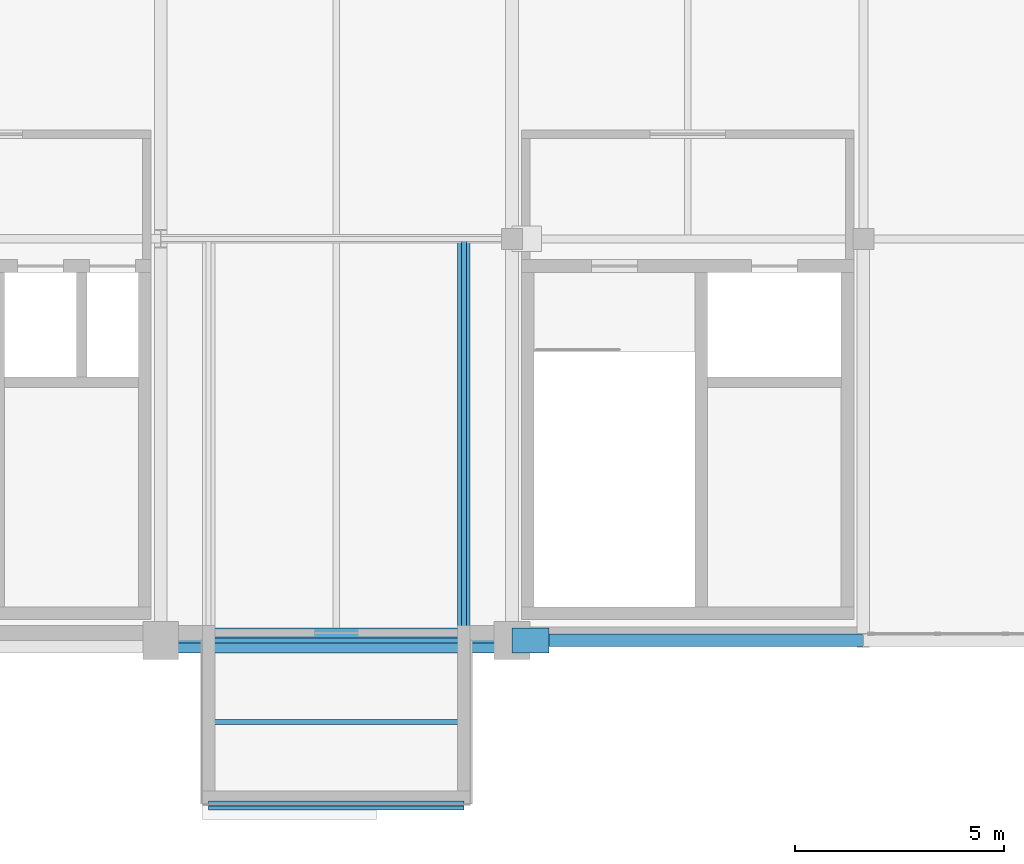
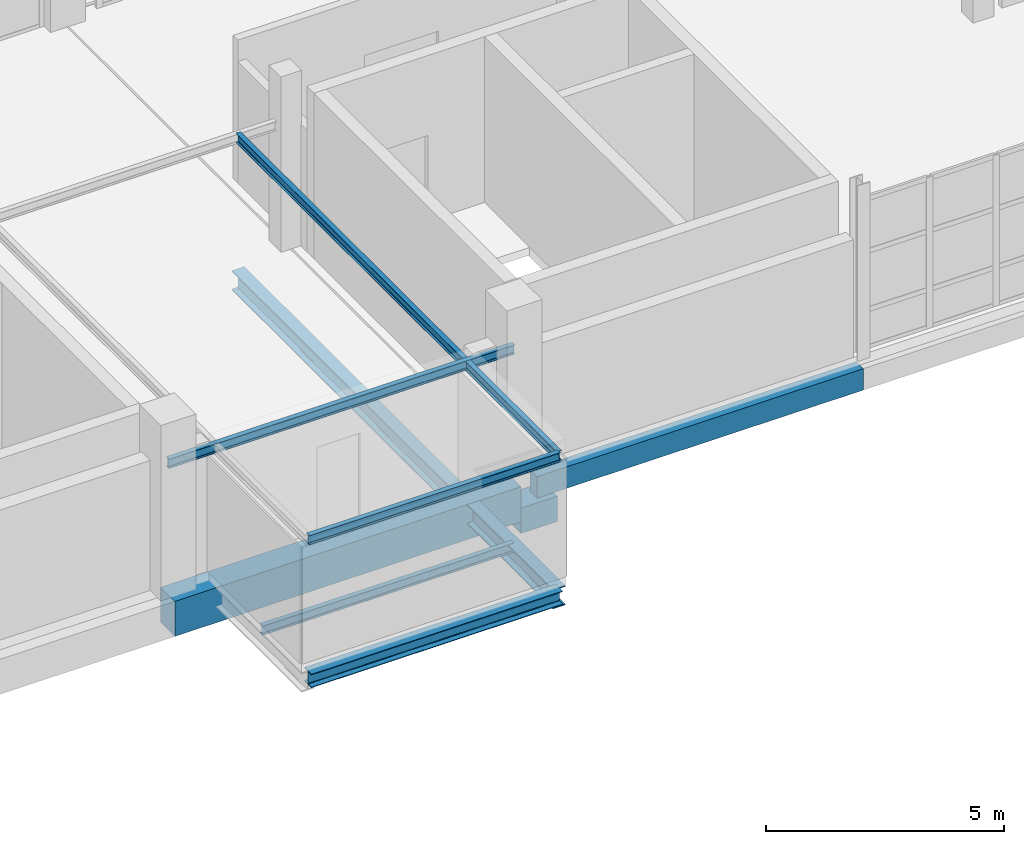
# One storey, part 43 of 103: 9 beams.
"""IFC4 building model written with IfcOpenShell, lengths in metres."""

from ifc_helpers import new_model, si_unit, direction, frame, origin, origin_2d, place, context, subcontext, project, spatial, rectangle, i_section, extrude, material, material_profile, profile_set, type_object, element, save


model = new_model("IFC4")

# Units and contexts
model_context = context("Model", 3, precision=1e-05, world=origin(), true_north=direction((0.0, 1.0)))
body_context = subcontext(model_context, "Body", "Model", "MODEL_VIEW")
ifc_project = project(units=[si_unit("LENGTHUNIT", "METRE"), si_unit("AREAUNIT", "SQUARE_METRE"), si_unit("VOLUMEUNIT", "CUBIC_METRE"), si_unit("PLANEANGLEUNIT", "RADIAN"), si_unit("MASSUNIT", "GRAM", prefix="KILO")], contexts=[model_context])

# Site, building, storey
site_placement = place(None, origin())
site = spatial("IfcSite", under=ifc_project, at=site_placement, CompositionType="ELEMENT")
building_placement = place(site_placement, origin())
building = spatial("IfcBuilding", under=site, at=building_placement, Name="Veltarok Museum of Natural Sciences", CompositionType="ELEMENT")
storey_placement = place(building_placement, frame((0.0, 0.0, 21.89990234375)))
storey = spatial("IfcBuildingStorey", under=building, at=storey_placement, Name="L04", CompositionType="ELEMENT", Elevation=21.89990234375)

# Beams
ifc_material_1 = material(Name="Steel S355J2", Category="steel")
ifc_material_profile_1 = material_profile(ifc_material_1, i_section(OverallWidth=0.300048828125, OverallDepth=0.5, WebThickness=0.014404296875, FlangeThickness=0.028076171875, FilletRadius=0.027099609375, at=origin_2d()), Name="HEB 500")
ifc_profile_set_1 = profile_set([ifc_material_profile_1], Name="Steel S355J2")
beam_type_1 = type_object("IfcBeamType", Name="Cabinet Box Cantilever Girder HEB 500", PredefinedType="BEAM", material=ifc_profile_set_1)
beam_1_placement = place(storey_placement, frame((106.050048828125, -3.89990234375, -0.5), z_axis=(0.0, 1.0, 0.0), x_axis=(-1.0, 0.0, 0.0)))
element("IfcBeam", 1, at=beam_1_placement, inside=storey, type_object=beam_type_1, Name="Cabinet Cantilever Girder DB-23-2", PredefinedType="BEAM", context=body_context, shape_type="SweptSolid", body=[
    extrude(i_section(OverallWidth=0.300048828125, OverallDepth=0.5, WebThickness=0.014404296875, FlangeThickness=0.028076171875, FilletRadius=0.027099609375, at=origin_2d()), origin(), (0.0, 0.0, 1.0), 13.5),
])
ifc_material_profile_2 = material_profile(ifc_material_1, i_section(OverallWidth=0.1201171875, OverallDepth=0.239990234375, WebThickness=0.006103515625, FlangeThickness=0.009765625, FilletRadius=0.014892578125, at=origin_2d()), Name="IPE 240")
ifc_profile_set_2 = profile_set([ifc_material_profile_2], Name="Steel S355J2")
beam_type_2 = type_object("IfcBeamType", Name="Cabinet Box Secondary Joist IPE 240", PredefinedType="JOIST", material=ifc_profile_set_2)
beam_2_placement = place(storey_placement, frame((106.050048828125, -3.89990234375, 3.130126953125), z_axis=(0.0, 1.0, 0.0), x_axis=(-1.0, 0.0, 0.0)))
element("IfcBeam", 2, at=beam_2_placement, inside=storey, type_object=beam_type_2, Name="Cabinet Roof Rafter DB-23-2", PredefinedType="JOIST", context=body_context, shape_type="SweptSolid", body=[
    extrude(i_section(OverallWidth=0.1201171875, OverallDepth=0.239990234375, WebThickness=0.006103515625, FlangeThickness=0.009765625, FilletRadius=0.014892578125, at=origin_2d()), origin(), (0.0, 0.0, 1.0), 13.5),
])
beam_3_placement = place(storey_placement, frame((98.800048828125, 0.0, 3.130126953125), z_axis=(1.0, 0.0, 0.0), x_axis=(0.0, 1.0, 0.0)))
element("IfcBeam", 3, at=beam_3_placement, inside=storey, type_object=beam_type_2, Name="Cabinet Roof Tie Beam DB-23-P", PredefinedType="JOIST", context=body_context, shape_type="SweptSolid", body=[
    extrude(i_section(OverallWidth=0.1201171875, OverallDepth=0.239990234375, WebThickness=0.006103515625, FlangeThickness=0.009765625, FilletRadius=0.014892578125, at=origin_2d()), origin(), (0.0, 0.0, 1.0), 8.39990234375),
])
for number, where, z_axis, x_axis, name in (
    (4, (99.949951171875, -3.89990234375, 3.130126953125), (1.0, 0.0, 0.0), (0.0, 1.0, 0.0), "Cabinet Roof Tip Header DB-23"),
    (5, (99.949951171875, -1.949951171875, -0.369873046875), (1.0, 0.0, 0.0), (0.0, 1.0, 0.0), "Cabinet Box Joist DB-23"),
):
    element("IfcBeam", number, at=place(storey_placement, frame(where, z_axis=z_axis, x_axis=x_axis)), inside=storey, type_object=beam_type_2, Name=name, PredefinedType="JOIST", context=body_context, shape_type="SweptSolid", body=[
        extrude(i_section(OverallWidth=0.1201171875, OverallDepth=0.239990234375, WebThickness=0.006103515625, FlangeThickness=0.009765625, FilletRadius=0.014892578125, at=origin_2d()), origin(), (0.0, 0.0, 1.0), 6.10009765625),
    ])
ifc_material_profile_3 = material_profile(ifc_material_1, i_section(OverallWidth=0.300048828125, OverallDepth=0.35009765625, WebThickness=0.010009765625, FlangeThickness=0.017578125, FilletRadius=0.027099609375, at=origin_2d()), Name="HEA 360")
ifc_profile_set_3 = profile_set([ifc_material_profile_3], Name="Steel S355J2")
beam_type_3 = type_object("IfcBeamType", Name="Cabinet Box Tip Header HEA 360", PredefinedType="BEAM", material=ifc_profile_set_3)
beam_4_placement = place(storey_placement, frame((99.949951171875, -3.89990234375, -0.4248046875), z_axis=(1.0, 0.0, 0.0), x_axis=(0.0, 1.0, 0.0)))
element("IfcBeam", 6, at=beam_4_placement, inside=storey, type_object=beam_type_3, Name="Cabinet Tip Header DB-23", PredefinedType="BEAM", context=body_context, shape_type="SweptSolid", body=[
    extrude(i_section(OverallWidth=0.300048828125, OverallDepth=0.35009765625, WebThickness=0.010009765625, FlangeThickness=0.017578125, FilletRadius=0.027099609375, at=origin_2d()), origin(), (0.0, 0.0, 1.0), 6.10009765625),
])
ifc_material_2 = material(Name="Precast concrete C40/50", Category="concrete")
ifc_material_profile_4 = material_profile(ifc_material_2, rectangle(XDim=0.300048828125, YDim=0.550048828125, at=origin_2d()), Name="RC 300x550")
ifc_profile_set_4 = profile_set([ifc_material_profile_4], Name="Precast concrete C40/50")
beam_type_4 = type_object("IfcBeamType", Name="East Wing Precast Spandrel RC 300x550", PredefinedType="SPANDREL", material=ifc_profile_set_4)
beam_5_placement = place(storey_placement, frame((107.675048828125, 0.0, -0.52490234375), z_axis=(1.0, 0.0, 0.0), x_axis=(0.0, 1.0, 0.0)))
element("IfcBeam", 7, at=beam_5_placement, inside=storey, type_object=beam_type_4, Name="Beam BM-SP02 L04 13-14/A", PredefinedType="SPANDREL", context=body_context, shape_type="SweptSolid", body=[
    extrude(rectangle(XDim=0.300048828125, YDim=0.550048828125, at=origin_2d()), origin(), (0.0, 0.0, 1.0), 7.925048828125),
])
ifc_material_3 = material(Name="Concrete C40/50", Category="concrete")
ifc_material_profile_5 = material_profile(ifc_material_3, rectangle(XDim=0.60009765625, YDim=0.89990234375, at=origin_2d()), Name="RC 600x900")
ifc_profile_set_5 = profile_set([ifc_material_profile_5], Name="Concrete C40/50")
beam_type_5 = type_object("IfcBeamType", Name="Exposed Cabinet Perimeter Spandrel RC 600x900", PredefinedType="SPANDREL", material=ifc_profile_set_5)
beam_6_placement = place(storey_placement, frame((98.800048828125, 0.0, -0.699951171875), z_axis=(1.0, 0.0, 0.0), x_axis=(0.0, 1.0, 0.0)))
element("IfcBeam", 8, at=beam_6_placement, inside=storey, type_object=beam_type_5, Name="Beam BM-SP01 L04 12-13/A", PredefinedType="SPANDREL", context=body_context, shape_type="SweptSolid", body=[
    extrude(rectangle(XDim=0.60009765625, YDim=0.89990234375, at=origin_2d()), origin(), (0.0, 0.0, 1.0), 8.39990234375),
])
ifc_material_profile_6 = material_profile(ifc_material_3, rectangle(XDim=0.60009765625, YDim=0.64990234375, at=origin_2d()), Name="RC 600x650")
ifc_profile_set_6 = profile_set([ifc_material_profile_6], Name="Concrete C40/50")
beam_type_6 = type_object("IfcBeamType", Name="Movement Joint Sliding Corbel RC 600x650", PredefinedType="BEAM", material=ifc_profile_set_6)
beam_7_placement = place(storey_placement, frame((107.199951171875, 0.0, -1.125), z_axis=(1.0, 0.0, 0.0), x_axis=(0.0, 1.0, 0.0)))
element("IfcBeam", 9, at=beam_7_placement, inside=storey, type_object=beam_type_6, Name="Movement Joint Corbel L04 13/A", PredefinedType="BEAM", context=body_context, shape_type="SweptSolid", body=[
    extrude(rectangle(XDim=0.60009765625, YDim=0.64990234375, at=origin_2d()), origin(), (0.0, 0.0, 1.0), 0.885009765625),
])

save(model, "model.ifc")
